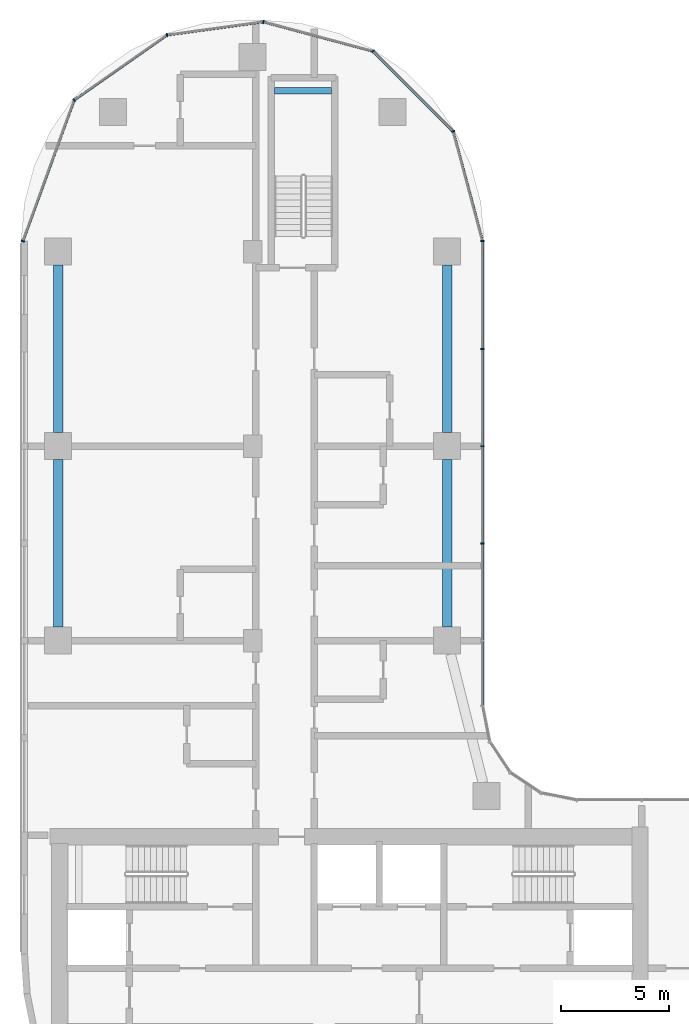
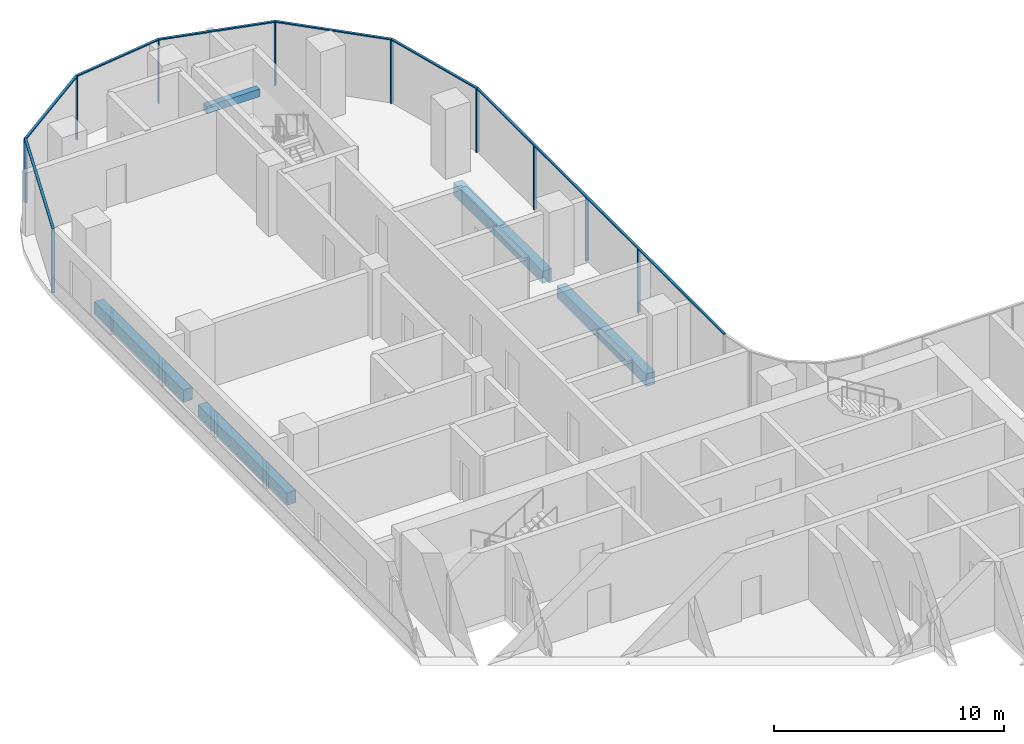
# One storey, part 6 of 22: 17 members, 5 beams, 2 elements without a shape of their own.
"""IFC4 building model written with IfcOpenShell, lengths in metres."""

from ifc_helpers import new_model, si_unit, direction, frame, origin, origin_2d, place, context, subcontext, project, spatial, rectangle, extrude, material, material_profile, profile_set, type_object, element, aggregate, save


model = new_model("IFC4")

# Units and contexts
model_context = context("Model", 3, precision=1e-05, world=origin(), true_north=direction((0.0, 1.0)))
body_context = subcontext(model_context, "Body", "Model", "MODEL_VIEW")
ifc_project = project(units=[si_unit("LENGTHUNIT", "METRE"), si_unit("AREAUNIT", "SQUARE_METRE"), si_unit("VOLUMEUNIT", "CUBIC_METRE"), si_unit("PLANEANGLEUNIT", "RADIAN"), si_unit("MASSUNIT", "GRAM", prefix="KILO")], contexts=[model_context])

# Site, building, storey
site_placement = place(None, origin())
site = spatial("IfcSite", under=ifc_project, at=site_placement, CompositionType="ELEMENT")
building_placement = place(site_placement, origin())
building = spatial("IfcBuilding", under=site, at=building_placement, Name="Ogive Portal Towers", CompositionType="ELEMENT")
storey_placement = place(building_placement, frame((0.0, 0.0, 131.5)))
storey = spatial("IfcBuildingStorey", under=building, at=storey_placement, Name="L32", CompositionType="ELEMENT", Elevation=131.5)

# Beam
ifc_material_1 = material(Name="Concrete C40/50", Category="concrete")
ifc_material_profile_1 = material_profile(ifc_material_1, rectangle(XDim=0.300048828125, YDim=0.39990234375, at=origin_2d()), Name="RC 300x400")
ifc_profile_set_1 = profile_set([ifc_material_profile_1], Name="Concrete C40/50")
beam_type_1 = type_object("IfcBeamType", Name="BEAM RC 300x400", PredefinedType="BEAM", material=ifc_profile_set_1)
beam_placement = place(storey_placement, frame((41.5, 73.949951171875, 1.449951171875), z_axis=(1.0, 0.0, 0.0), x_axis=(0.0, 1.0, 0.0)))
element("IfcBeam", 1, at=beam_placement, inside=storey, type_object=beam_type_1, Name="Landing beam L32", PredefinedType="BEAM", context=body_context, shape_type="SweptSolid", body=[
    extrude(rectangle(XDim=0.300048828125, YDim=0.39990234375, at=origin_2d()), origin(), (0.0, 0.0, 1.0), 2.64990234375),
])

# Curtain wall, members
ifc_material_2 = material(Name="Glass, clear low-iron insulated glazing", Category="glass")
curtain_wall_type = type_object("IfcCurtainWallType", Name="CW FRONT RIBBON 4500", PredefinedType="NOTDEFINED", material=ifc_material_2)
curtain_wall_1_placement = place(storey_placement, origin())
curtain_wall_1 = element("IfcCurtainWall", 2, at=curtain_wall_1_placement, inside=storey, type_object=curtain_wall_type, Name="A:L32:f18:cw0", PredefinedType="NOTDEFINED")
ifc_material_3 = material(Name="Aluminium 6063 anodised", Category="aluminium")
ifc_material_profile_2 = material_profile(ifc_material_3, rectangle(XDim=0.159912109375, YDim=0.06005859375, at=origin_2d()), Name="AL 60x160")
ifc_profile_set_2 = profile_set([ifc_material_profile_2], Name="Aluminium 6063 anodised")
member_type_1 = type_object("IfcMemberType", Name="CW MULLION 60x160", PredefinedType="MULLION", material=ifc_profile_set_2)
member_1_placement = place(storey_placement, frame((51.135009765625, 53.0, 0.0), z_axis=(0.0, 0.0, 1.0), x_axis=(-1.0, 0.0, 0.0)))
member_1 = element("IfcMember", 3, at=member_1_placement, type_object=member_type_1, Name="mullion", PredefinedType="MULLION", context=body_context, shape_type="SweptSolid", body=[
    extrude(rectangle(XDim=0.159912109375, YDim=0.06005859375, at=origin_2d()), origin(), (0.0, 0.0, 1.0), 3.340087890625),
])
member_2_placement = place(storey_placement, frame((51.135009765625, 57.5, 0.0), z_axis=(0.0, 0.0, 1.0), x_axis=(-1.0, 0.0, 0.0)))
member_2 = element("IfcMember", 4, at=member_2_placement, type_object=member_type_1, Name="mullion", PredefinedType="MULLION", context=body_context, shape_type="SweptSolid", body=[
    extrude(rectangle(XDim=0.159912109375, YDim=0.06005859375, at=origin_2d()), origin(), (0.0, 0.0, 1.0), 3.340087890625),
])
member_3_placement = place(storey_placement, frame((51.135009765625, 62.0, 0.0), z_axis=(0.0, 0.0, 1.0), x_axis=(-1.0, 0.0, 0.0)))
member_3 = element("IfcMember", 5, at=member_3_placement, type_object=member_type_1, Name="mullion", PredefinedType="MULLION", context=body_context, shape_type="SweptSolid", body=[
    extrude(rectangle(XDim=0.159912109375, YDim=0.06005859375, at=origin_2d()), origin(), (0.0, 0.0, 1.0), 3.340087890625),
])
member_4_placement = place(storey_placement, frame((51.135009765625, 66.989501953125, 0.0), z_axis=(0.0, 0.0, 1.0), x_axis=(-1.0, 0.0, 0.0)))
member_4 = element("IfcMember", 6, at=member_4_placement, type_object=member_type_1, Name="mullion", PredefinedType="MULLION", context=body_context, shape_type="SweptSolid", body=[
    extrude(rectangle(XDim=0.159912109375, YDim=0.06005859375, at=origin_2d()), origin(), (0.0, 0.0, 1.0), 3.340087890625),
])

curtain_wall_2_placement = place(storey_placement, origin())
curtain_wall_2 = element("IfcCurtainWall", 7, at=curtain_wall_2_placement, inside=storey, type_object=curtain_wall_type, Name="A:L32:f19:cwa", PredefinedType="NOTDEFINED")
member_5_placement = place(storey_placement, frame((49.774658203125, 72.066162109375, 0.0), z_axis=(0.0, 0.0, 1.0), x_axis=(-0.965925826289, -0.258819045103, 0.0)))
member_5 = element("IfcMember", 8, at=member_5_placement, type_object=member_type_1, Name="mullion", PredefinedType="MULLION", context=body_context, shape_type="SweptSolid", body=[
    extrude(rectangle(XDim=0.159912109375, YDim=0.06005859375, at=origin_2d()), origin(), (0.0, 0.0, 1.0), 3.340087890625),
])
member_6_placement = place(storey_placement, frame((46.066162109375, 75.774658203125, 0.0), z_axis=(0.0, 0.0, 1.0), x_axis=(-0.707106781187, -0.707106781187, 0.0)))
member_6 = element("IfcMember", 9, at=member_6_placement, type_object=member_type_1, Name="mullion", PredefinedType="MULLION", context=body_context, shape_type="SweptSolid", body=[
    extrude(rectangle(XDim=0.159912109375, YDim=0.06005859375, at=origin_2d()), origin(), (0.0, 0.0, 1.0), 3.340087890625),
])
member_7_placement = place(storey_placement, frame((40.994873046875, 77.133544921875, 0.0), z_axis=(0.0, 0.0, 1.0), x_axis=(-0.258819045103, -0.965925826289, 0.0)))
member_7 = element("IfcMember", 10, at=member_7_placement, type_object=member_type_1, Name="mullion", PredefinedType="MULLION", context=body_context, shape_type="SweptSolid", body=[
    extrude(rectangle(XDim=0.159912109375, YDim=0.06005859375, at=origin_2d()), origin(), (0.0, 0.0, 1.0), 3.340087890625),
])
member_8_placement = place(storey_placement, frame((36.536376953125, 76.522216796875, 0.0), z_axis=(0.0, 0.0, 1.0), x_axis=(0.135818290186, -0.990733764465, 0.0)))
member_8 = element("IfcMember", 11, at=member_8_placement, type_object=member_type_1, Name="mullion", PredefinedType="MULLION", context=body_context, shape_type="SweptSolid", body=[
    extrude(rectangle(XDim=0.159912109375, YDim=0.06005859375, at=origin_2d()), origin(), (0.0, 0.0, 1.0), 3.340087890625),
])
member_9_placement = place(storey_placement, frame((32.241455078125, 73.514892578125, 0.0), z_axis=(0.0, 0.0, 1.0), x_axis=(0.573576436351, -0.819152044289, 0.0)))
member_9 = element("IfcMember", 12, at=member_9_placement, type_object=member_type_1, Name="mullion", PredefinedType="MULLION", context=body_context, shape_type="SweptSolid", body=[
    extrude(rectangle(XDim=0.159912109375, YDim=0.06005859375, at=origin_2d()), origin(), (0.0, 0.0, 1.0), 3.340087890625),
])
member_10_placement = place(storey_placement, frame((29.864990234375, 66.98583984375, 0.0), z_axis=(0.0, 0.0, 1.0), x_axis=(0.939692620786, -0.342020143326, 0.0)))
member_10 = element("IfcMember", 13, at=member_10_placement, type_object=member_type_1, Name="mullion", PredefinedType="MULLION", context=body_context, shape_type="SweptSolid", body=[
    extrude(rectangle(XDim=0.159912109375, YDim=0.06005859375, at=origin_2d()), origin(), (0.0, 0.0, 1.0), 3.340087890625),
])

# Member
ifc_material_profile_3 = material_profile(ifc_material_3, rectangle(XDim=0.1201171875, YDim=0.06005859375, at=origin_2d()), Name="AL 120x60")
ifc_profile_set_3 = profile_set([ifc_material_profile_3], Name="Aluminium 6063 anodised")
member_type_2 = type_object("IfcMemberType", Name="CW TRANSOM 60x120", PredefinedType="USERDEFINED", material=ifc_profile_set_3)
member_11_placement = place(storey_placement, frame((51.135009765625, 45.4921875, 3.3701171875), z_axis=(0.0, 1.0, 0.0), x_axis=(-1.0, 0.0, 0.0)))
member_11 = element("IfcMember", 14, at=member_11_placement, type_object=member_type_2, Name="transom", ObjectType="TRANSOM", PredefinedType="USERDEFINED", context=body_context, shape_type="SweptSolid", body=[
    extrude(rectangle(XDim=0.1201171875, YDim=0.06005859375, at=origin_2d()), origin(), (0.0, 0.0, 1.0), 21.497314453125),
])

aggregate(curtain_wall_1, [member_11, member_1, member_2, member_3, member_4])

member_12_placement = place(storey_placement, frame((51.135009765625, 66.989501953125, 3.3701171875), z_axis=(-0.258830508272, 0.965922754669, 0.0), x_axis=(-0.965922754669, -0.258830508272, 0.0)))
member_12 = element("IfcMember", 15, at=member_12_placement, type_object=member_type_2, Name="transom", ObjectType="TRANSOM", PredefinedType="USERDEFINED", context=body_context, shape_type="SweptSolid", body=[
    extrude(rectangle(XDim=0.1201171875, YDim=0.06005859375, at=origin_2d()), origin(), (0.0, 0.0, 1.0), 5.255859375),
])

member_13_placement = place(storey_placement, frame((49.774658203125, 72.066162109375, 3.3701171875), z_axis=(-0.707106781187, 0.707106781187, 0.0), x_axis=(-0.707106781187, -0.707106781187, 0.0)))
member_13 = element("IfcMember", 16, at=member_13_placement, type_object=member_type_2, Name="transom", ObjectType="TRANSOM", PredefinedType="USERDEFINED", context=body_context, shape_type="SweptSolid", body=[
    extrude(rectangle(XDim=0.1201171875, YDim=0.06005859375, at=origin_2d()), origin(), (0.0, 0.0, 1.0), 5.24462890625),
])

member_14_placement = place(storey_placement, frame((46.066162109375, 75.774658203125, 3.3701171875), z_axis=(-0.965923973482, 0.258825959773, 0.0), x_axis=(-0.258825959773, -0.965923973482, 0.0)))
member_14 = element("IfcMember", 17, at=member_14_placement, type_object=member_type_2, Name="transom", ObjectType="TRANSOM", PredefinedType="USERDEFINED", context=body_context, shape_type="SweptSolid", body=[
    extrude(rectangle(XDim=0.1201171875, YDim=0.06005859375, at=origin_2d()), origin(), (0.0, 0.0, 1.0), 5.250244140625),
])

member_15_placement = place(storey_placement, frame((40.994873046875, 77.133544921875, 3.3701171875), z_axis=(-0.990730199866, -0.135844289808, 0.0), x_axis=(0.135844289808, -0.990730199866, 0.0)))
member_15 = element("IfcMember", 18, at=member_15_placement, type_object=member_type_2, Name="transom", ObjectType="TRANSOM", PredefinedType="USERDEFINED", context=body_context, shape_type="SweptSolid", body=[
    extrude(rectangle(XDim=0.1201171875, YDim=0.06005859375, at=origin_2d()), origin(), (0.0, 0.0, 1.0), 4.500244140625),
])

member_16_placement = place(storey_placement, frame((36.536376953125, 76.522216796875, 3.3701171875), z_axis=(-0.819153160327, -0.57357484248, 0.0), x_axis=(0.57357484248, -0.819153160327, 0.0)))
member_16 = element("IfcMember", 19, at=member_16_placement, type_object=member_type_2, Name="transom", ObjectType="TRANSOM", PredefinedType="USERDEFINED", context=body_context, shape_type="SweptSolid", body=[
    extrude(rectangle(XDim=0.1201171875, YDim=0.06005859375, at=origin_2d()), origin(), (0.0, 0.0, 1.0), 5.2431640625),
])

member_17_placement = place(storey_placement, frame((32.241455078125, 73.514892578125, 3.3701171875), z_axis=(-0.342030817509, -0.939688735632, 0.0), x_axis=(0.939688735632, -0.342030817509, 0.0)))
member_17 = element("IfcMember", 20, at=member_17_placement, type_object=member_type_2, Name="transom", ObjectType="TRANSOM", PredefinedType="USERDEFINED", context=body_context, shape_type="SweptSolid", body=[
    extrude(rectangle(XDim=0.1201171875, YDim=0.06005859375, at=origin_2d()), origin(), (0.0, 0.0, 1.0), 6.947998046875),
])

aggregate(curtain_wall_2, [member_12, member_13, member_14, member_15, member_16, member_17, member_5, member_6, member_7, member_8, member_9, member_10])

# Beams
ifc_material_4 = material(Name="Concrete C50/60", Category="concrete")
ifc_material_profile_4 = material_profile(ifc_material_4, rectangle(XDim=0.449951171875, YDim=0.64990234375, at=origin_2d()), Name="RC 450x650")
ifc_profile_set_4 = profile_set([ifc_material_profile_4], Name="Concrete C50/60")
beam_type_2 = type_object("IfcBeamType", Name="SPANDREL BEAM RC 450x650", PredefinedType="BEAM", material=ifc_profile_set_4)
for number, where, z_axis, x_axis, name in (
    (21, (31.5, 49.125, -0.625), (0.0, 1.0, 0.0), (-1.0, 0.0, 0.0), "Spandrel beam L32"),
    (22, (31.5, 58.125, -0.625), (0.0, 1.0, 0.0), (-1.0, 0.0, 0.0), "Spandrel beam L32"),
    (23, (49.5, 65.875, -0.625), (0.0, -1.0, 0.0), (1.0, 0.0, 0.0), "Spandrel beam L32"),
    (24, (49.5, 56.875, -0.625), (0.0, -1.0, 0.0), (1.0, 0.0, 0.0), "Spandrel beam L32"),
):
    element("IfcBeam", number, at=place(storey_placement, frame(where, z_axis=z_axis, x_axis=x_axis)), inside=storey, type_object=beam_type_2, Name=name, PredefinedType="BEAM", context=body_context, shape_type="SweptSolid", body=[
        extrude(rectangle(XDim=0.449951171875, YDim=0.64990234375, at=origin_2d()), origin(), (0.0, 0.0, 1.0), 7.75),
    ])

save(model, "model.ifc")
